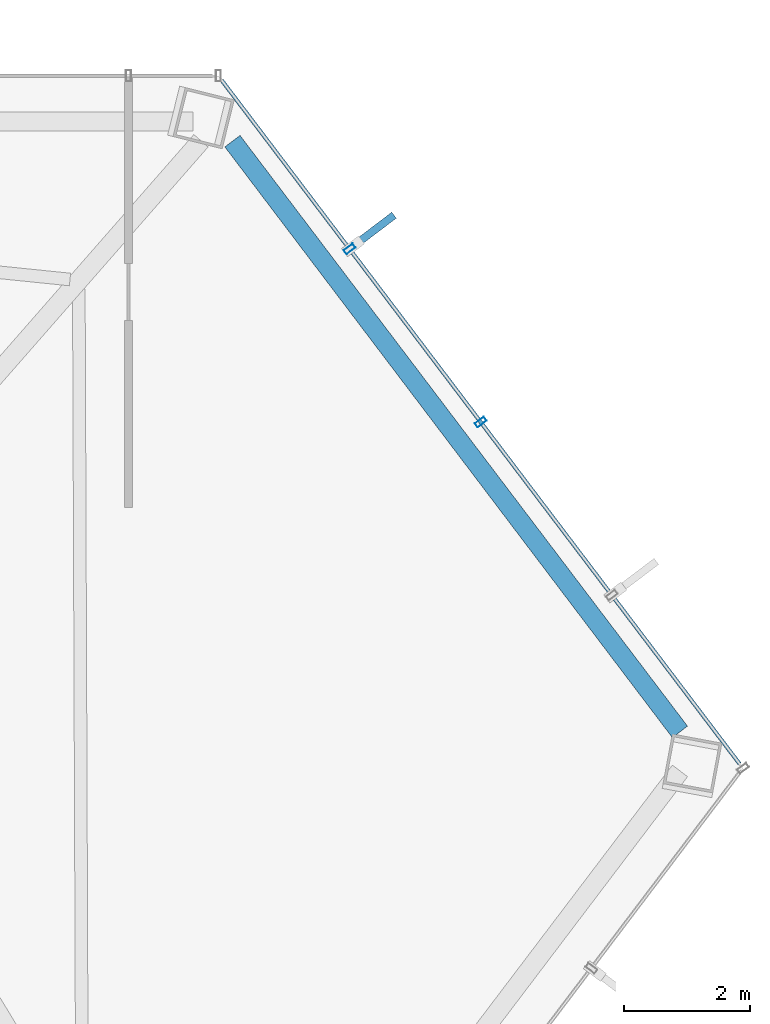
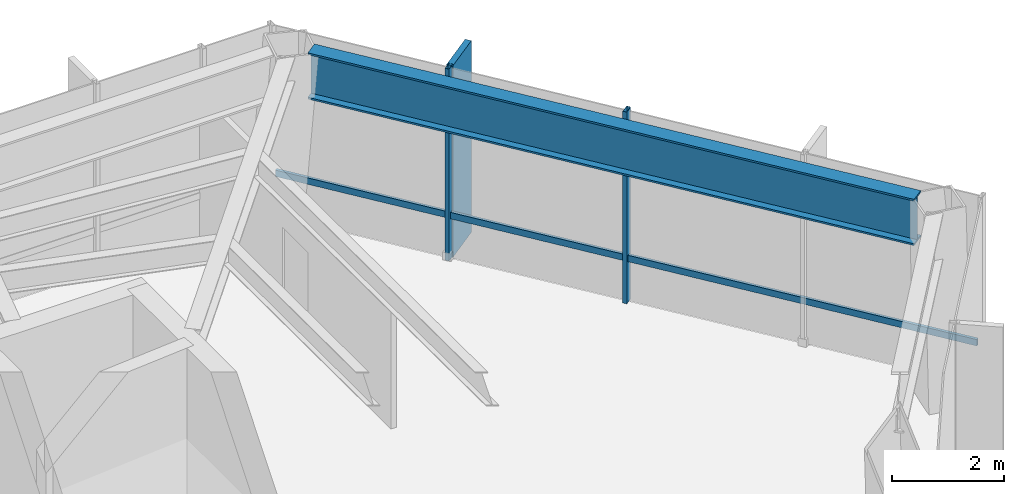
# One storey, part 20 of 25: 4 members, 1 beam, 1 element without a shape of its own.
"""IFC4 building model written with IfcOpenShell, lengths in metres."""

from ifc_helpers import new_model, si_unit, direction, frame, origin, origin_2d, place, context, subcontext, project, spatial, rectangle, hollow_rectangle, i_section, extrude, material, layer, layer_set, material_profile, profile_set, type_object, element, aggregate, save


model = new_model("IFC4")

# Units and contexts
model_context = context("Model", 3, precision=1e-05, world=origin(), true_north=direction((0.0, 1.0)))
body_context = subcontext(model_context, "Body", "Model", "MODEL_VIEW")
ifc_project = project(units=[si_unit("LENGTHUNIT", "METRE"), si_unit("AREAUNIT", "SQUARE_METRE"), si_unit("VOLUMEUNIT", "CUBIC_METRE"), si_unit("PLANEANGLEUNIT", "RADIAN"), si_unit("MASSUNIT", "GRAM", prefix="KILO")], contexts=[model_context])

# Site, building, storey
site_placement = place(None, origin())
site = spatial("IfcSite", under=ifc_project, at=site_placement, CompositionType="ELEMENT")
building_placement = place(site_placement, origin())
building = spatial("IfcBuilding", under=site, at=building_placement, Name="Zarrinselat Tower", CompositionType="ELEMENT")
storey_placement = place(building_placement, frame((0.0, 0.0, 119.0)))
storey = spatial("IfcBuildingStorey", under=building, at=storey_placement, Name="L28", CompositionType="ELEMENT", Elevation=119.0)

# Beam
ifc_material_1 = material(Name="Steel S460M", Category="steel")
ifc_material_profile_1 = material_profile(ifc_material_1, i_section(OverallWidth=0.302001953125, OverallDepth=1.008056640625, WebThickness=0.02099609375, FlangeThickness=0.0400390625, at=origin_2d()), Name="HEM 1000")
ifc_profile_set_1 = profile_set([ifc_material_profile_1], Name="Steel S460M")
beam_type = type_object("IfcBeamType", Name="BM-HEM1000", PredefinedType="BEAM", material=ifc_profile_set_1)
beam_placement = place(storey_placement, frame((54.64892578125, 48.307373046875, 3.676025390625), z_axis=(0.603854888535, -0.79709426895, 0.0), x_axis=(0.79709426895, 0.603854888535, 0.0)))
element("IfcBeam", 1, at=beam_placement, inside=storey, type_object=beam_type, Name="L28 Perimeter Spandrel Girder SP15", PredefinedType="BEAM", context=body_context, shape_type="SweptSolid", body=[
    extrude(i_section(OverallWidth=0.302001953125, OverallDepth=1.008056640625, WebThickness=0.02099609375, FlangeThickness=0.0400390625, at=origin_2d()), origin(), (0.0, 0.0, 1.0), 11.75341796875),
])

# Curtain wall, members
ifc_material_2 = material(Name="Extruded Aluminium Alloy EN AW-6063 T6", Category="aluminium")
ifc_layer = layer(ifc_material_2, 0.195068359375)
ifc_layer_set = layer_set([ifc_layer], Name="Extruded Aluminium Alloy EN AW-6063 T6")
curtain_wall_type = type_object("IfcCurtainWallType", Name="CWS-GDN", PredefinedType="NOTDEFINED", material=ifc_layer_set)
curtain_wall_placement = place(storey_placement, origin())
curtain_wall = element("IfcCurtainWall", 2, at=curtain_wall_placement, inside=storey, type_object=curtain_wall_type, Name="L28 Unitised Curtain Wall CW-L28-E05", PredefinedType="NOTDEFINED")
ifc_material_3 = material(Name="Extruded Aluminium Alloy EN AW-6063 T6", Category="aluminium")
ifc_material_profile_2 = material_profile(ifc_material_3, hollow_rectangle(XDim=0.080078125, YDim=0.179931640625, WallThickness=0.0048828125, at=origin_2d()), Name="RHS 180x80x5")
ifc_profile_set_2 = profile_set([ifc_material_profile_2], Name="Extruded Aluminium Alloy EN AW-6063 T6")
member_type_1 = type_object("IfcMemberType", Name="MEM-CW-MUL", PredefinedType="MULLION", material=ifc_profile_set_2)
member_1_placement = place(storey_placement, frame((56.50634765625, 46.5986328125, 0.0), z_axis=(0.0, 0.0, 1.0), x_axis=(0.603856430388, -0.797093100885, 0.0)))
member_1 = element("IfcMember", 3, at=member_1_placement, type_object=member_type_1, Name="CW-L28-E05 Mullion 1", PredefinedType="MULLION", context=body_context, shape_type="SweptSolid", body=[
    extrude(hollow_rectangle(XDim=0.080078125, YDim=0.179931640625, WallThickness=0.0048828125, at=origin_2d()), origin(), (0.0, 0.0, 1.0), 4.179931640625),
])
member_2_placement = place(storey_placement, frame((58.58642578125, 43.85302734375, 0.0), z_axis=(0.0, 0.0, 1.0), x_axis=(0.603856430388, -0.797093100885, 0.0)))
member_2 = element("IfcMember", 4, at=member_2_placement, type_object=member_type_1, Name="CW-L28-E05 Mullion 2", PredefinedType="MULLION", context=body_context, shape_type="SweptSolid", body=[
    extrude(hollow_rectangle(XDim=0.080078125, YDim=0.179931640625, WallThickness=0.0048828125, at=origin_2d()), origin(), (0.0, 0.0, 1.0), 4.179931640625),
])
ifc_material_4 = material(Name="Extruded Aluminium Alloy EN AW-6063 T6", Category="aluminium")
ifc_material_profile_3 = material_profile(ifc_material_4, hollow_rectangle(XDim=0.06005859375, YDim=0.139892578125, WallThickness=0.00390625, at=origin_2d()), Name="RHS 140x60x4")
ifc_profile_set_3 = profile_set([ifc_material_profile_3], Name="Extruded Aluminium Alloy EN AW-6063 T6")
member_type_2 = type_object("IfcMemberType", Name="MEM-CW-TRN", PredefinedType="USERDEFINED", material=ifc_profile_set_3)
member_3_placement = place(storey_placement, frame((54.480712890625, 49.272705078125, 0.949951171875), z_axis=(0.603848009402, -0.79709948033, 0.0), x_axis=(0.79709948033, 0.603848009402, 0.0)))
member_3 = element("IfcMember", 5, at=member_3_placement, type_object=member_type_2, Name="CW-L28-E05 Transom 1", ObjectType="TRANSOM", PredefinedType="USERDEFINED", context=body_context, shape_type="SweptSolid", body=[
    extrude(hollow_rectangle(XDim=0.06005859375, YDim=0.139892578125, WallThickness=0.00390625, at=origin_2d()), origin(), (0.0, 0.0, 1.0), 13.598388671875),
])
ifc_material_5 = material(Name="Honed Cream Travertine Stone", Category="masonry")
ifc_material_profile_4 = material_profile(ifc_material_5, rectangle(XDim=0.1201171875, YDim=0.85009765625, at=origin_2d()), Name="FIN 850x120")
ifc_profile_set_4 = profile_set([ifc_material_profile_4], Name="Honed Cream Travertine Stone")
member_type_3 = type_object("IfcMemberType", Name="MEM-STONE-FIN", PredefinedType="USERDEFINED", material=ifc_profile_set_4)
member_4_placement = place(storey_placement, frame((56.873046875, 46.87646484375, 0.0), z_axis=(0.0, 0.0, 1.0), x_axis=(0.603856430388, -0.797093100885, 0.0)))
member_4 = element("IfcMember", 6, at=member_4_placement, type_object=member_type_3, Name="L28 Stone Shading Fin CW-L28-E05-01", ObjectType="FIN", PredefinedType="USERDEFINED", context=body_context, shape_type="SweptSolid", body=[
    extrude(rectangle(XDim=0.1201171875, YDim=0.85009765625, at=origin_2d()), origin(), (0.0, 0.0, 1.0), 4.179931640625),
])
aggregate(curtain_wall, [member_1, member_4, member_2, member_3])

save(model, "model.ifc")
